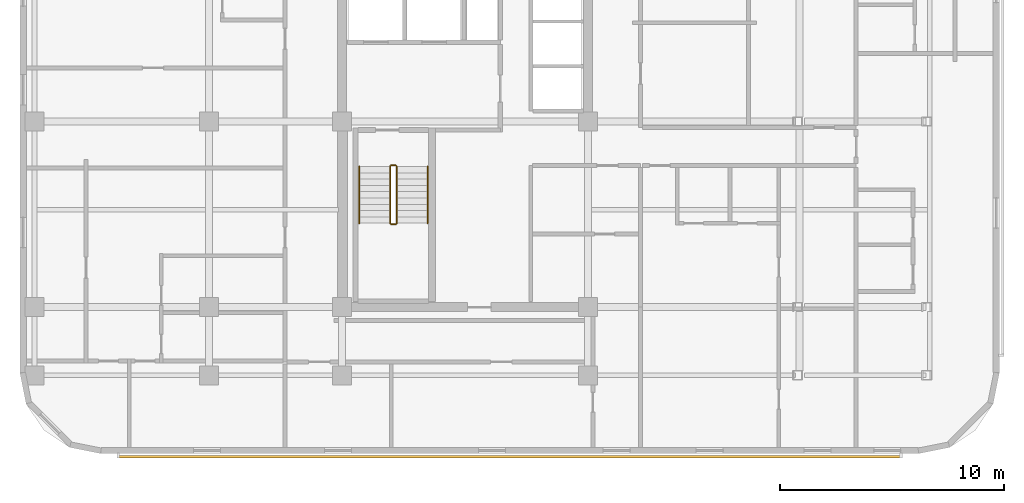
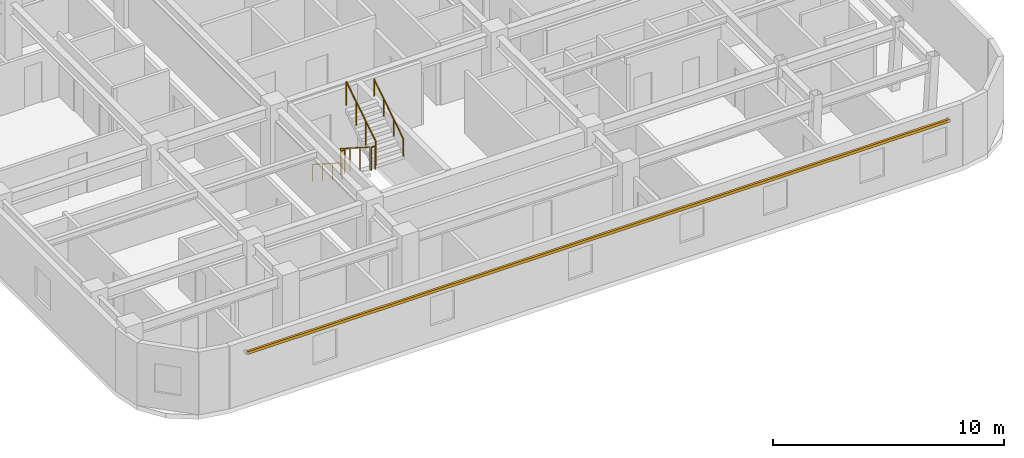
# One storey, part 8 of 11: 6 railings, 1 shading device.
"""IFC4 building model written with IfcOpenShell, lengths in metres."""

from ifc_helpers import new_model, si_unit, direction, frame, origin, origin_2d, place, context, subcontext, project, spatial, rectangle, circle, extrude, material, material_profile, profile_set, type_object, element, save


model = new_model("IFC4")

# Units and contexts
model_context = context("Model", 3, precision=1e-05, world=origin(), true_north=direction((0.0, 1.0)))
body_context = subcontext(model_context, "Body", "Model", "MODEL_VIEW")
ifc_project = project(units=[si_unit("LENGTHUNIT", "METRE"), si_unit("AREAUNIT", "SQUARE_METRE"), si_unit("VOLUMEUNIT", "CUBIC_METRE"), si_unit("PLANEANGLEUNIT", "RADIAN"), si_unit("MASSUNIT", "GRAM", prefix="KILO")], contexts=[model_context])

# Site, building, storey
site_placement = place(None, origin())
site = spatial("IfcSite", under=ifc_project, at=site_placement, CompositionType="ELEMENT")
building_placement = place(site_placement, origin())
building = spatial("IfcBuilding", under=site, at=building_placement, Name="Ochreholt Gables", CompositionType="ELEMENT")
storey_placement = place(building_placement, frame((0.0, 0.0, 132.0)))
storey = spatial("IfcBuildingStorey", under=building, at=storey_placement, Name="L34", CompositionType="ELEMENT", Elevation=132.0)

# Railings
ifc_material_1 = material(Name="Painted Steel Stair Guardrail", Category="steel")
railing_type_1 = type_object("IfcRailingType", Name="RL-ST-GUARD", PredefinedType="GUARDRAIL", material=ifc_material_1)
railing_1_placement = place(storey_placement, frame((26.35009765625, 15.5400390625, 0.179931640625)))
element("IfcRailing", 1, at=railing_1_placement, inside=storey, type_object=railing_type_1, Name="L34 ST-1 stair guard 1", PredefinedType="GUARDRAIL", context=body_context, shape_type="SweptSolid", body=[
    extrude(circle(Radius=0.02392578125, at=origin_2d()), frame((0.0, 0.0, 1.22607421875), z_axis=(0.0, -0.842912820907, 0.538050161556), x_axis=(1.0, 0.0, 0.0)), (0.0, 0.0, 1.0), 3.010986328125),
    extrude(circle(Radius=0.02099609375, at=origin_2d()), origin(), (0.0, 0.0, 1.0), 1.201904296875),
    extrude(circle(Radius=0.02099609375, at=origin_2d()), frame((0.0, -0.845947265625, 0.5400390625)), (0.0, 0.0, 1.0), 1.201904296875),
    extrude(circle(Radius=0.02099609375, at=origin_2d()), frame((0.0, -1.692138671875, 1.080078125)), (0.0, 0.0, 1.0), 1.201904296875),
    extrude(circle(Radius=0.02099609375, at=origin_2d()), frame((0.0, -2.5380859375, 1.6201171875)), (0.0, 0.0, 1.0), 1.201904296875),
])
railing_2_placement = place(storey_placement, frame((26.39990234375, 12.951904296875, 1.800048828125)))
element("IfcRailing", 2, at=railing_2_placement, inside=storey, type_object=railing_type_1, Name="L34 ST-1 stair guard 2", PredefinedType="GUARDRAIL", context=body_context, shape_type="SweptSolid", body=[
    extrude(circle(Radius=0.02392578125, at=origin_2d()), frame((0.0, 0.0, 1.22607421875), z_axis=(1.0, 0.0, 0.0), x_axis=(0.0, 1.0, 0.0)), (0.0, 0.0, 1.0), 0.2001953125),
    extrude(circle(Radius=0.02099609375, at=origin_2d()), origin(), (0.0, 0.0, 1.0), 1.201904296875),
    extrude(circle(Radius=0.02099609375, at=origin_2d()), frame((0.2001953125, 0.0, 0.0)), (0.0, 0.0, 1.0), 1.201904296875),
])
railing_3_placement = place(storey_placement, frame((26.64990234375, 13.001953125, 1.97998046875)))
element("IfcRailing", 3, at=railing_3_placement, inside=storey, type_object=railing_type_1, Name="L34 ST-1 stair guard 3", PredefinedType="GUARDRAIL", context=body_context, shape_type="SweptSolid", body=[
    extrude(circle(Radius=0.02392578125, at=origin_2d()), frame((0.0, 0.0, 1.22607421875), z_axis=(0.0, 0.842912820907, 0.538050161556), x_axis=(-1.0, 0.0, 0.0)), (0.0, 0.0, 1.0), 3.010986328125),
    extrude(circle(Radius=0.02099609375, at=origin_2d()), origin(), (0.0, 0.0, 1.0), 1.201904296875),
    extrude(circle(Radius=0.02099609375, at=origin_2d()), frame((0.0, 0.845947265625, 0.5400390625)), (0.0, 0.0, 1.0), 1.201904296875),
    extrude(circle(Radius=0.02099609375, at=origin_2d()), frame((0.0, 1.692138671875, 1.080078125)), (0.0, 0.0, 1.0), 1.201904296875),
    extrude(circle(Radius=0.02099609375, at=origin_2d()), frame((0.0, 2.5380859375, 1.6201171875)), (0.0, 0.0, 1.0), 1.201904296875),
])
railing_4_placement = place(storey_placement, frame((26.39990234375, 15.590087890625, 0.0)))
element("IfcRailing", 4, at=railing_4_placement, inside=storey, type_object=railing_type_1, Name="L34 ST-1 stair guard 4", PredefinedType="GUARDRAIL", context=body_context, shape_type="SweptSolid", body=[
    extrude(circle(Radius=0.02392578125, at=origin_2d()), frame((0.0, 0.0, 1.22607421875), z_axis=(1.0, 0.0, 0.0), x_axis=(0.0, 1.0, 0.0)), (0.0, 0.0, 1.0), 0.2001953125),
    extrude(circle(Radius=0.02099609375, at=origin_2d()), origin(), (0.0, 0.0, 1.0), 1.201904296875),
    extrude(circle(Radius=0.02099609375, at=origin_2d()), frame((0.2001953125, 0.0, 0.0)), (0.0, 0.0, 1.0), 1.201904296875),
])
ifc_material_2 = material(Name="Brushed Stainless Steel Wall Handrail", Category="steel")
railing_type_2 = type_object("IfcRailingType", Name="RL-ST-HAND", PredefinedType="HANDRAIL", material=ifc_material_2)
railing_5_placement = place(storey_placement, frame((24.969970703125, 15.5400390625, 0.179931640625)))
element("IfcRailing", 5, at=railing_5_placement, inside=storey, type_object=railing_type_2, Name="L34 ST-1 stair handrail 1", PredefinedType="HANDRAIL", context=body_context, shape_type="SweptSolid", body=[
    extrude(circle(Radius=0.02392578125, at=origin_2d()), frame((0.0, 0.0, 0.8759765625), z_axis=(0.0, -0.842912820907, 0.538050161556), x_axis=(1.0, 0.0, 0.0)), (0.0, 0.0, 1.0), 3.010986328125),
    extrude(circle(Radius=0.02099609375, at=origin_2d()), origin(), (0.0, 0.0, 1.0), 0.851806640625),
    extrude(circle(Radius=0.02099609375, at=origin_2d()), frame((0.0, -0.845947265625, 0.5400390625)), (0.0, 0.0, 1.0), 0.851806640625),
    extrude(circle(Radius=0.02099609375, at=origin_2d()), frame((0.0, -1.692138671875, 1.080078125)), (0.0, 0.0, 1.0), 0.851806640625),
    extrude(circle(Radius=0.02099609375, at=origin_2d()), frame((0.0, -2.5380859375, 1.6201171875)), (0.0, 0.0, 1.0), 0.851806640625),
])
railing_6_placement = place(storey_placement, frame((28.030029296875, 13.001953125, 1.97998046875)))
element("IfcRailing", 6, at=railing_6_placement, inside=storey, type_object=railing_type_2, Name="L34 ST-1 stair handrail 2", PredefinedType="HANDRAIL", context=body_context, shape_type="SweptSolid", body=[
    extrude(circle(Radius=0.02392578125, at=origin_2d()), frame((0.0, 0.0, 0.8759765625), z_axis=(0.0, 0.842912820907, 0.538050161556), x_axis=(-1.0, 0.0, 0.0)), (0.0, 0.0, 1.0), 3.010986328125),
    extrude(circle(Radius=0.02099609375, at=origin_2d()), origin(), (0.0, 0.0, 1.0), 0.851806640625),
    extrude(circle(Radius=0.02099609375, at=origin_2d()), frame((0.0, 0.845947265625, 0.5400390625)), (0.0, 0.0, 1.0), 0.851806640625),
    extrude(circle(Radius=0.02099609375, at=origin_2d()), frame((0.0, 1.692138671875, 1.080078125)), (0.0, 0.0, 1.0), 0.851806640625),
    extrude(circle(Radius=0.02099609375, at=origin_2d()), frame((0.0, 2.5380859375, 1.6201171875)), (0.0, 0.0, 1.0), 0.851806640625),
])

# Shading device
ifc_material_3 = material(Name="Warm Ochre Glazed Terracotta Baguette", Category="masonry")
ifc_material_profile = material_profile(ifc_material_3, rectangle(XDim=0.110107421875, YDim=0.14990234375, at=origin_2d()), Name="TCBAG110X150")
ifc_profile_set = profile_set([ifc_material_profile], Name="Warm Ochre Glazed Terracotta Baguette")
shading_device_type = type_object("IfcShadingDeviceType", Name="SHD-BAGUETTE", PredefinedType="USERDEFINED", material=ifc_profile_set)
shading_device_placement = place(storey_placement, frame((14.199951171875, 2.550048828125, 2.780029296875), z_axis=(1.0, 0.0, 0.0), x_axis=(0.0, 1.0, 0.0)))
element("IfcShadingDevice", 7, at=shading_device_placement, inside=storey, type_object=shading_device_type, Name="L34 Terracotta Baguette Screen S-1", ObjectType="BAGUETTE", PredefinedType="USERDEFINED", context=body_context, shape_type="SweptSolid", body=[
    extrude(rectangle(XDim=0.110107421875, YDim=0.14990234375, at=origin_2d()), origin(), (0.0, 0.0, 1.0), 35.0),
])

save(model, "model.ifc")
